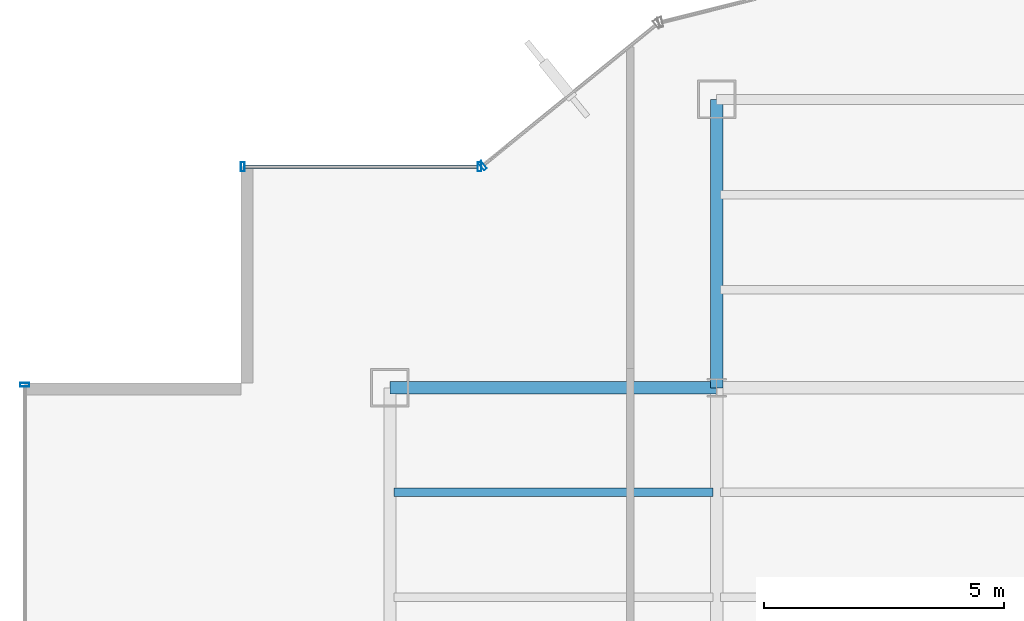
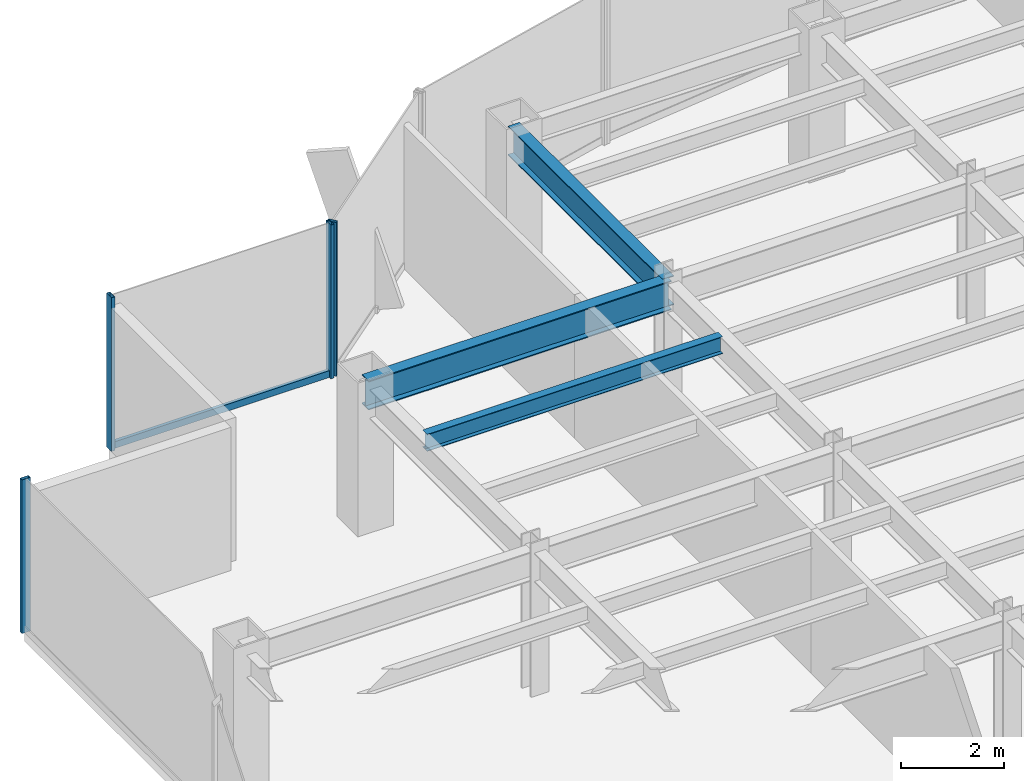
# One storey, part 13 of 26: 5 members, 3 beams, 3 elements without a shape of their own.
"""IFC4 building model written with IfcOpenShell, lengths in metres."""

from ifc_helpers import new_model, si_unit, derived_unit, direction, frame, origin, origin_2d, place, context, subcontext, project, spatial, hollow_rectangle, i_section, extrude, source, transform, mapped, material, material_profile, profile_set, type_object, element, aggregate, save


model = new_model("IFC4")

# Units and contexts
model_context = context("Model", 3, precision=1e-05, world=origin(), true_north=direction((0.0, 1.0)))
body_context = subcontext(model_context, "Body", "Model", "MODEL_VIEW")
ifc_project = project(units=[si_unit("LENGTHUNIT", "METRE"), si_unit("AREAUNIT", "SQUARE_METRE"), si_unit("VOLUMEUNIT", "CUBIC_METRE"), si_unit("PLANEANGLEUNIT", "RADIAN"), si_unit("MASSUNIT", "GRAM", prefix="KILO"), derived_unit("THERMALTRANSMITTANCEUNIT", [(si_unit("POWERUNIT", "WATT"), 1), (si_unit("LENGTHUNIT", "METRE"), -2), (si_unit("THERMODYNAMICTEMPERATUREUNIT", "KELVIN"), -1)])], contexts=[model_context])

# Site, building, storey
site_placement = place(None, origin())
site = spatial("IfcSite", under=ifc_project, at=site_placement, CompositionType="ELEMENT")
building_placement = place(site_placement, origin())
building = spatial("IfcBuilding", under=site, at=building_placement, Name="Skarnbrae Concourse Arena and Tower", CompositionType="ELEMENT")
storey_placement = place(building_placement, frame((0.0, 0.0, 99.60009765625)))
storey = spatial("IfcBuildingStorey", under=building, at=storey_placement, Name="L24", CompositionType="ELEMENT", Elevation=99.60009765625)

# Beams
ifc_material_1 = material(Name="Steel CSA G40.21 350W", Category="steel")
ifc_material_profile_1 = material_profile(ifc_material_1, i_section(OverallWidth=0.256103515625, OverallDepth=0.693115234375, WebThickness=0.014404296875, FlangeThickness=0.023681640625, at=origin_2d()), Name="W690X170")
ifc_profile_set_1 = profile_set([ifc_material_profile_1], Name="Steel CSA G40.21 350W")
beam_type_1 = type_object("IfcBeamType", Name="BM-GIRD-W690X170", PredefinedType="BEAM", material=ifc_profile_set_1)
shared_shape_1 = source(origin(), body_context, "Body", "SweptSolid", [
    extrude(i_section(OverallWidth=0.256103515625, OverallDepth=0.693115234375, WebThickness=0.014404296875, FlangeThickness=0.023681640625, at=origin_2d()), origin(), (0.0, 0.0, 1.0), 6.7998046875),
])
beam_1_placement = place(storey_placement, frame((7.60009765625, 34.39990234375, 3.053466796875), z_axis=(1.0, 0.0, 0.0), x_axis=(0.0, 1.0, 0.0)))
element("IfcBeam", 1, at=beam_1_placement, inside=storey, type_object=beam_type_1, Name="L24 Primary E-W girder Y34.4-1", PredefinedType="BEAM", context=body_context, shape_type="MappedRepresentation", body=[
    mapped(shared_shape_1, transform((0.0, 0.0, 0.0))),
])
shared_shape_2 = source(origin(), body_context, "Body", "SweptSolid", [
    extrude(i_section(OverallWidth=0.256103515625, OverallDepth=0.693115234375, WebThickness=0.014404296875, FlangeThickness=0.023681640625, at=origin_2d()), origin(), (0.0, 0.0, 1.0), 6.0),
])
beam_2_placement = place(storey_placement, frame((14.39990234375, 34.39990234375, 3.053466796875), z_axis=(0.0, 1.0, 0.0), x_axis=(-1.0, 0.0, 0.0)))
element("IfcBeam", 2, at=beam_2_placement, inside=storey, type_object=beam_type_1, Name="L24 Primary N-S girder X14.4-4", PredefinedType="BEAM", context=body_context, shape_type="MappedRepresentation", body=[
    mapped(shared_shape_2, transform((0.0, 0.0, 0.0))),
])
ifc_material_profile_2 = material_profile(ifc_material_1, i_section(OverallWidth=0.177978515625, OverallDepth=0.406982421875, WebThickness=0.0078125, FlangeThickness=0.0126953125, at=origin_2d()), Name="W410X60")
ifc_profile_set_2 = profile_set([ifc_material_profile_2], Name="Steel CSA G40.21 350W")
beam_type_2 = type_object("IfcBeamType", Name="BM-JOIST-W410X60", PredefinedType="JOIST", material=ifc_profile_set_2)
shared_shape_3 = source(origin(), body_context, "Body", "SweptSolid", [
    extrude(i_section(OverallWidth=0.177978515625, OverallDepth=0.406982421875, WebThickness=0.0078125, FlangeThickness=0.0126953125, at=origin_2d()), origin(), (0.0, 0.0, 1.0), 6.64013671875),
])
beam_3_placement = place(storey_placement, frame((7.679931640625, 32.221923828125, 3.1962890625), z_axis=(1.0, 0.0, 0.0), x_axis=(0.0, 1.0, 0.0)))
element("IfcBeam", 3, at=beam_3_placement, inside=storey, type_object=beam_type_2, Name="L24 Secondary floor joist 3.2.1", PredefinedType="JOIST", context=body_context, shape_type="MappedRepresentation", body=[
    mapped(shared_shape_3, transform((0.0, 0.0, 0.0))),
])

# Curtain wall, member
ifc_material_2 = material(Name="Bronze anodised aluminium 6063-T6", Category="aluminium")
curtain_wall_type = type_object("IfcCurtainWallType", Name="CW-SYS-04-MIDZONE", PredefinedType="USERDEFINED", material=ifc_material_2)
curtain_wall_1_placement = place(storey_placement, origin())
curtain_wall_1 = element("IfcCurtainWall", 4, at=curtain_wall_1_placement, inside=storey, type_object=curtain_wall_type, Name="L24 Unitised curtain wall CW-L24-E16", ObjectType="UNITISED CURTAIN WALL", PredefinedType="USERDEFINED")
ifc_material_profile_3 = material_profile(ifc_material_2, hollow_rectangle(XDim=0.074951171875, YDim=0.159912109375, WallThickness=0.00439453125, at=origin_2d()), Name="ALU-TRAN-75X160")
ifc_profile_set_3 = profile_set([ifc_material_profile_3], Name="Bronze anodised aluminium 6063-T6")
member_type_1 = type_object("IfcMemberType", Name="CWT-CW-04", PredefinedType="USERDEFINED", material=ifc_profile_set_3)
shared_shape_4 = source(origin(), body_context, "Body", "SweptSolid", [
    extrude(hollow_rectangle(XDim=0.074951171875, YDim=0.159912109375, WallThickness=0.00439453125, at=origin_2d()), origin(), (0.0, 0.0, 1.0), 4.85009765625),
])
member_1_placement = place(storey_placement, frame((9.425048828125, 39.0, 0.079833984375), z_axis=(-1.0, 0.0, 0.0), x_axis=(0.0, -1.0, 0.0)))
member_1 = element("IfcMember", 5, at=member_1_placement, type_object=member_type_1, Name="CW-L24-E16 Transom 1", ObjectType="TRANSOM", PredefinedType="USERDEFINED", context=body_context, shape_type="MappedRepresentation", body=[
    mapped(shared_shape_4, transform((0.0, 0.0, 0.0))),
])

curtain_wall_2_placement = place(storey_placement, origin())
curtain_wall_2 = element("IfcCurtainWall", 6, at=curtain_wall_2_placement, inside=storey, type_object=curtain_wall_type, Name="L24 Unitised curtain wall CW-L24-E15", ObjectType="UNITISED CURTAIN WALL", PredefinedType="USERDEFINED")
ifc_material_profile_4 = material_profile(ifc_material_2, hollow_rectangle(XDim=0.074951171875, YDim=0.195068359375, WallThickness=0.00439453125, at=origin_2d()), Name="ALU-MULL-75X195")
ifc_profile_set_4 = profile_set([ifc_material_profile_4], Name="Bronze anodised aluminium 6063-T6")
member_type_2 = type_object("IfcMemberType", Name="CWM-CW-04", PredefinedType="MULLION", material=ifc_profile_set_4)
shared_shape_5 = source(origin(), body_context, "Body", "SweptSolid", [
    extrude(hollow_rectangle(XDim=0.074951171875, YDim=0.195068359375, WallThickness=0.00439453125, at=origin_2d()), origin(), (0.0, 0.0, 1.0), 3.64990234375),
])
member_2_placement = place(storey_placement, frame((9.529052734375, 39.023681640625, 0.0), z_axis=(0.0, 0.0, 1.0), x_axis=(-0.776241200471, -0.630436038542, 0.0)))
member_2 = element("IfcMember", 7, at=member_2_placement, type_object=member_type_2, Name="CW-L24-E15 Mullion 2", PredefinedType="MULLION", context=body_context, shape_type="MappedRepresentation", body=[
    mapped(shared_shape_5, transform((0.0, 0.0, 0.0))),
])
aggregate(curtain_wall_2, [member_2])

# Member
member_3_placement = place(storey_placement, frame((9.46240234375, 39.0, 0.0), z_axis=(0.0, 0.0, 1.0), x_axis=(-1.0, 0.0, 0.0)))
member_3 = element("IfcMember", 8, at=member_3_placement, type_object=member_type_2, Name="CW-L24-E16 Mullion 1", PredefinedType="MULLION", context=body_context, shape_type="MappedRepresentation", body=[
    mapped(shared_shape_5, transform((0.0, 0.0, 0.0))),
])

member_4_placement = place(storey_placement, frame((4.53759765625, 39.0, 0.0), z_axis=(0.0, 0.0, 1.0), x_axis=(-1.0, 0.0, 0.0)))
member_4 = element("IfcMember", 9, at=member_4_placement, type_object=member_type_2, Name="CW-L24-E16 Mullion 2", PredefinedType="MULLION", context=body_context, shape_type="MappedRepresentation", body=[
    mapped(shared_shape_5, transform((0.0, 0.0, 0.0))),
])

aggregate(curtain_wall_1, [member_3, member_4, member_1])

# Curtain wall, member
curtain_wall_3_placement = place(storey_placement, origin())
curtain_wall_3 = element("IfcCurtainWall", 10, at=curtain_wall_3_placement, inside=storey, type_object=curtain_wall_type, Name="L24 Unitised curtain wall CW-L24-E19", ObjectType="UNITISED CURTAIN WALL", PredefinedType="USERDEFINED")
member_5_placement = place(storey_placement, frame((0.0, 34.46240234375, 0.0), z_axis=(0.0, 0.0, 1.0), x_axis=(0.0, -1.0, 0.0)))
member_5 = element("IfcMember", 11, at=member_5_placement, type_object=member_type_2, Name="CW-L24-E19 Mullion 1", PredefinedType="MULLION", context=body_context, shape_type="MappedRepresentation", body=[
    mapped(shared_shape_5, transform((0.0, 0.0, 0.0))),
])
aggregate(curtain_wall_3, [member_5])

save(model, "model.ifc")
